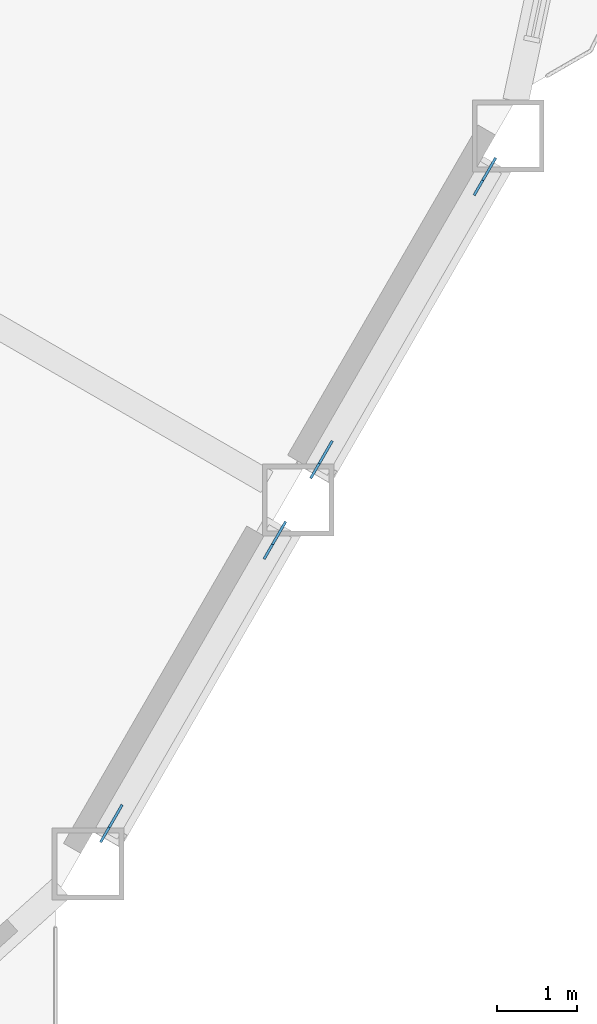
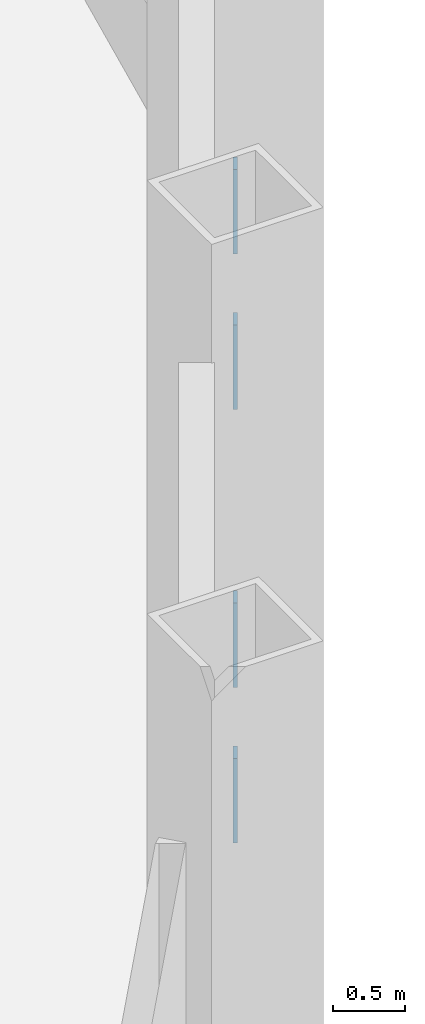
# One storey, part 15 of 21: 4 discrete accessories.
"""IFC4 building model written with IfcOpenShell, lengths in metres."""

from ifc_helpers import new_model, si_unit, direction, frame, origin, origin_2d, place, context, subcontext, project, spatial, rectangle, extrude, material, material_profile, profile_set, type_object, element, save


model = new_model("IFC4")

# Units and contexts
model_context = context("Model", 3, precision=1e-05, world=origin(), true_north=direction((0.0, 1.0)))
body_context = subcontext(model_context, "Body", "Model", "MODEL_VIEW")
ifc_project = project(units=[si_unit("LENGTHUNIT", "METRE"), si_unit("AREAUNIT", "SQUARE_METRE"), si_unit("VOLUMEUNIT", "CUBIC_METRE"), si_unit("PLANEANGLEUNIT", "RADIAN"), si_unit("MASSUNIT", "GRAM", prefix="KILO")], contexts=[model_context])

# Site, building, storey
site_placement = place(None, origin())
site = spatial("IfcSite", under=ifc_project, at=site_placement, CompositionType="ELEMENT")
building_placement = place(site_placement, origin())
building = spatial("IfcBuilding", under=site, at=building_placement, Name="Cormorant Prow Tower", CompositionType="ELEMENT")
storey_placement = place(building_placement, frame((0.0, 0.0, 120.60009765625)))
storey = spatial("IfcBuildingStorey", under=building, at=storey_placement, Name="L25", CompositionType="ELEMENT", Elevation=120.60009765625)

# Discrete accessories
ifc_material = material(Name="Structural steel ASTM A500 Gr C", Category="steel")
ifc_material_profile = material_profile(ifc_material, rectangle(XDim=0.031982421875, YDim=0.60791015625, at=origin_2d()), Name="Gusset plate 32x608")
ifc_profile_set = profile_set([ifc_material_profile], Name="Structural steel ASTM A500 Gr C")
discrete_accessory_type = type_object("IfcDiscreteAccessoryType", Name="Gusset plate 32x608", PredefinedType="BRACKET", material=ifc_profile_set)
discrete_accessory_placement = place(storey_placement, frame((27.76025390625, -16.8916015625, 0.88232421875), z_axis=(0.468167615655, 0.810048586848, -0.353044431477), x_axis=(-0.865800459427, 0.500389412813, 0.0)))
element("IfcDiscreteAccessory", 1, at=discrete_accessory_placement, inside=storey, type_object=discrete_accessory_type, Name="Gusset plate GP1 L25.ESE00.g0", PredefinedType="BRACKET", context=body_context, shape_type="SweptSolid", body=[
    extrude(rectangle(XDim=0.031982421875, YDim=0.60791015625, at=origin_2d()), origin(), (0.0, 0.0, 1.0), 0.349853515625),
])
for number, where, z_axis, x_axis, name in (
    (2, (25.8740234375, -20.158935546875, 2.306396484375), (-0.467903125124, -0.810288273314, 0.352844979601), (0.865987003449, -0.500066505434, 0.0), "Gusset plate GP1 L25.ESE00.g1"),
    (3, (30.39501953125, -12.328125, 0.88232421875), (0.467903125124, 0.810288273314, -0.352844979601), (-0.865987003449, 0.500066505434, 0.0), "Gusset plate GP1 L25.ESE01.g0"),
    (4, (28.5087890625, -15.59521484375, 2.306396484375), (-0.467903125124, -0.810288273314, 0.352844979601), (0.865987003449, -0.500066505434, 0.0), "Gusset plate GP1 L25.ESE01.g1"),
):
    element("IfcDiscreteAccessory", number, at=place(storey_placement, frame(where, z_axis=z_axis, x_axis=x_axis)), inside=storey, type_object=discrete_accessory_type, Name=name, PredefinedType="BRACKET", context=body_context, shape_type="SweptSolid", body=[
        extrude(rectangle(XDim=0.031982421875, YDim=0.60791015625, at=origin_2d()), origin(), (0.0, 0.0, 1.0), 0.35009765625),
    ])

save(model, "model.ifc")
